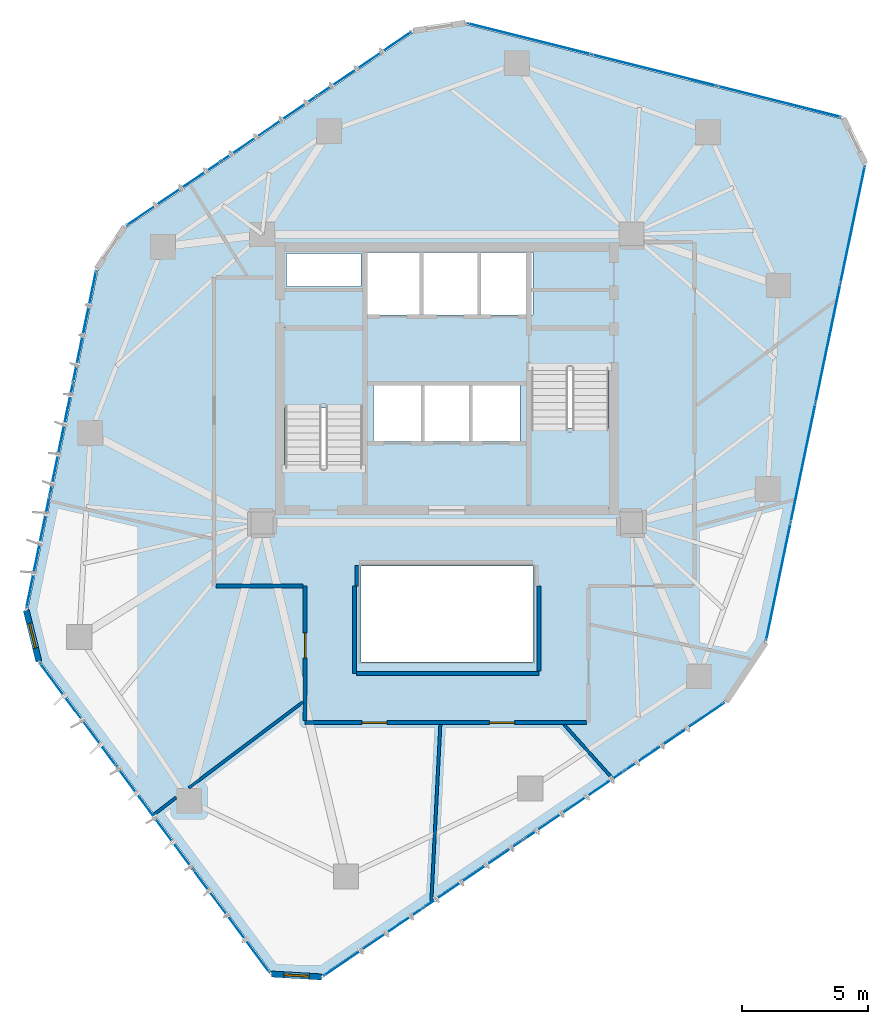
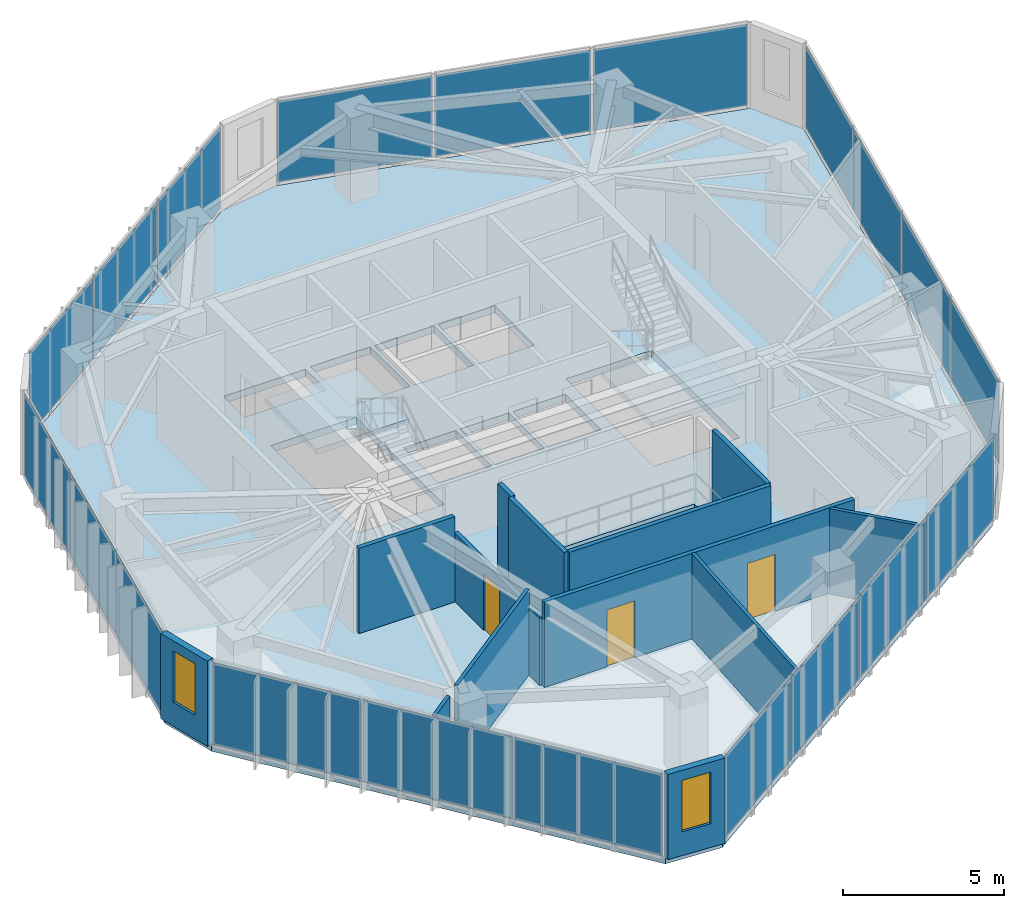
# One storey, part 15 of 20: 20 plates, 13 walls, 3 doors, 3 slabs, 2 windows, 5 openings, 8 elements without a shape of their own.
"""IFC4 building model written with IfcOpenShell, lengths in metres."""

from ifc_helpers import new_model, si_unit, direction, frame, frame_2d, origin, origin_2d, place, context, subcontext, project, spatial, polyline, rectangle, outline, extrude, source, transform, mapped, material, layer, layer_set, type_object, type_shapes, element, fill, aggregate, save


model = new_model("IFC4")

# Units and contexts
model_context = context("Model", 3, precision=1e-05, world=origin(), true_north=direction((0.0, 1.0)))
body_context = subcontext(model_context, "Body", "Model", "MODEL_VIEW")
ifc_project = project(units=[si_unit("LENGTHUNIT", "METRE"), si_unit("AREAUNIT", "SQUARE_METRE"), si_unit("VOLUMEUNIT", "CUBIC_METRE"), si_unit("PLANEANGLEUNIT", "RADIAN"), si_unit("MASSUNIT", "GRAM", prefix="KILO")], contexts=[model_context])

# Site, building, storey
site_placement = place(None, origin())
site = spatial("IfcSite", under=ifc_project, at=site_placement, CompositionType="ELEMENT")
building_placement = place(site_placement, origin())
building = spatial("IfcBuilding", under=site, at=building_placement, Name="Talar Marvaseh", CompositionType="ELEMENT")
storey_placement = place(building_placement, frame((0.0, 0.0, 191.5)))
storey = spatial("IfcBuildingStorey", under=building, at=storey_placement, Name="L50", CompositionType="ELEMENT", Elevation=191.5)

# Stair, slab
ifc_material_1 = material(Name="Concrete C40/50", Category="concrete")
stair_type = type_object("IfcStairType", Name="Reinforced Concrete High-Rise Exit Stair Type C", PredefinedType="HALF_TURN_STAIR", material=ifc_material_1)
stair_1_placement = place(storey_placement, origin())
stair_1 = element("IfcStair", 1, at=stair_1_placement, inside=storey, type_object=stair_type, Name="L50 Tower West Core Exit Stair", PredefinedType="HALF_TURN_STAIR")
ifc_layer_1 = layer(ifc_material_1, 0.199951171875)
ifc_layer_set_1 = layer_set([ifc_layer_1], Name="Concrete C40/50")
slab_type_1 = type_object("IfcSlabType", Name="Reinforced Concrete Stair Half-Landing Slab 200", PredefinedType="LANDING", material=ifc_layer_set_1)
slab_1_placement = place(storey_placement, frame((0.0, 0.0, 1.550048828125)))
slab_1 = element("IfcSlab", 2, at=slab_1_placement, type_object=slab_type_1, Name="ST-1 landing 1", PredefinedType="LANDING", context=body_context, shape_type="SweptSolid", body=[
    extrude(outline(polyline([(22.780029296875, 30.050048828125), (22.780029296875, 33.219970703125), (19.47998046875, 33.219970703125), (19.47998046875, 30.050048828125), (22.780029296875, 30.050048828125)])), origin(), (0.0, 0.0, 1.0), 0.199951171875),
])
aggregate(stair_1, [slab_1])

stair_2_placement = place(storey_placement, origin())
stair_2 = element("IfcStair", 3, at=stair_2_placement, inside=storey, type_object=stair_type, Name="L50 Tower East Core Exit Stair", PredefinedType="HALF_TURN_STAIR")
slab_2_placement = place(storey_placement, frame((0.0, 0.0, 1.550048828125)))
slab_2 = element("IfcSlab", 4, at=slab_2_placement, type_object=slab_type_1, Name="ST-2 landing 1", PredefinedType="LANDING", context=body_context, shape_type="SweptSolid", body=[
    extrude(outline(polyline([(29.219970703125, 29.25), (29.219970703125, 26.080078125), (32.52001953125, 26.080078125), (32.52001953125, 29.25), (29.219970703125, 29.25)])), origin(), (0.0, 0.0, 1.0), 0.199951171875),
])
aggregate(stair_2, [slab_2])

# Slab
ifc_layer_2 = layer(ifc_material_1, 0.27001953125)
ifc_layer_set_2 = layer_set([ifc_layer_2], Name="Concrete C40/50")
slab_type_2 = type_object("IfcSlabType", Name="Structural Suspended Floor Slab 270", PredefinedType="FLOOR", material=ifc_layer_set_2)
slab_3_placement = place(storey_placement, frame((0.0, 0.0, -0.27001953125)))
element("IfcSlab", 5, at=slab_3_placement, inside=storey, type_object=slab_type_2, Name="L50 Tower Floor Slab", PredefinedType="FLOOR", context=body_context, shape_type="SweptSolid", body=[
    extrude(outline(polyline([(21.05029296875, 7.6044921875), (19.07568359375, 7.71923828125), (9.93115234375, 20.0341796875), (9.43017578125, 22.06201171875), (12.210693359375, 35.50927734375), (13.323486328125, 37.1748046875), (24.68310546875, 44.8896484375), (26.748046875, 45.20263671875), (41.625244140625, 41.466796875), (42.48681640625, 39.686767578125), (38.555908203125, 20.80322265625), (36.991943359375, 18.46240234375), (21.05029296875, 7.6044921875)]), holes=[polyline([(22.659912109375, 27.64990234375), (22.659912109375, 33.10009765625), (19.60009765625, 33.10009765625), (19.60009765625, 27.64990234375), (22.659912109375, 27.64990234375)]), polyline([(29.340087890625, 31.64990234375), (29.340087890625, 26.199951171875), (32.39990234375, 26.199951171875), (32.39990234375, 31.64990234375), (29.340087890625, 31.64990234375)]), polyline([(22.800048828125, 33.719970703125), (24.93994140625, 33.719970703125), (24.93994140625, 36.179931640625), (22.800048828125, 36.179931640625), (22.800048828125, 33.719970703125)]), polyline([(25.080078125, 33.719970703125), (27.219970703125, 33.719970703125), (27.219970703125, 36.179931640625), (25.080078125, 36.179931640625), (25.080078125, 33.719970703125)]), polyline([(27.360107421875, 33.719970703125), (29.39990234375, 33.719970703125), (29.39990234375, 36.179931640625), (27.360107421875, 36.179931640625), (27.360107421875, 33.719970703125)]), polyline([(23.10009765625, 28.719970703125), (24.97998046875, 28.719970703125), (24.97998046875, 30.93994140625), (23.10009765625, 30.93994140625), (23.10009765625, 28.719970703125)]), polyline([(25.1201171875, 28.719970703125), (26.8798828125, 28.719970703125), (26.8798828125, 30.93994140625), (25.1201171875, 30.93994140625), (25.1201171875, 28.719970703125)]), polyline([(27.02001953125, 28.719970703125), (28.89990234375, 28.719970703125), (28.89990234375, 30.93994140625), (27.02001953125, 30.93994140625), (27.02001953125, 28.719970703125)]), polyline([(19.659912109375, 34.840087890625), (22.60009765625, 34.840087890625), (22.60009765625, 36.139892578125), (19.659912109375, 36.139892578125), (19.659912109375, 34.840087890625)]), polyline([(22.60009765625, 20.0), (29.39990234375, 20.0), (29.39990234375, 23.800048828125), (22.60009765625, 23.800048828125), (22.60009765625, 20.0)])]), origin(), (0.0, 0.0, 1.0), 0.27001953125),
])

# Curtain wall, plates
ifc_material_2 = material(Name="Architectural Aluminium", Category="aluminium")
ifc_layer_3 = layer(ifc_material_2, 0.18994140625)
ifc_layer_set_3 = layer_set([ifc_layer_3], Name="Architectural Aluminium")
curtain_wall_type = type_object("IfcCurtainWallType", Name="Unitised Solar Atelier Curtain Wall Z3", PredefinedType="NOTDEFINED", material=ifc_layer_set_3)
curtain_wall_1_placement = place(storey_placement, origin())
curtain_wall_1 = element("IfcCurtainWall", 6, at=curtain_wall_1_placement, inside=storey, type_object=curtain_wall_type, Name="L50 Unitised Solar Atelier Curtain Wall Z3", PredefinedType="NOTDEFINED")
ifc_material_3 = material(Name="Laminated Low-E Solar Glass", Category="glass")
ifc_layer_4 = layer(ifc_material_3, 0.028076171875)
ifc_layer_set_4 = layer_set([ifc_layer_4], Name="Laminated Low-E Solar Glass")
plate_type = type_object("IfcPlateType", Name="Double-Glazed Low-E Vision Curtain Panel 28", PredefinedType="CURTAIN_PANEL", material=ifc_layer_set_4)
shared_shape_1 = source(origin(), body_context, "Body", "SweptSolid", [
    extrude(rectangle(XDim=5.00048828125, YDim=0.028076171875, at=origin_2d()), origin(), (0.0, 0.0, 1.0), 3.080078125),
])
plate_1_placement = place(storey_placement, frame((17.4921875, 9.7509765625, 0.074951171875), z_axis=(0.0, 0.0, 1.0), x_axis=(-0.596173353454, 0.802855735878, 0.0)))
plate_1 = element("IfcPlate", 7, at=plate_1_placement, type_object=plate_type, Name="CW-Z3 panel 1.1", PredefinedType="CURTAIN_PANEL", context=body_context, shape_type="MappedRepresentation", body=[
    mapped(shared_shape_1, transform((0.0, 0.0, 0.0), x_axis=(1.0, 0.0, 0.0), y_axis=(0.0, 1.0, 0.0), z_axis=(0.0, 0.0, 1.0), scale=1.0)),
])
plate_2_placement = place(storey_placement, frame((11.418212890625, 17.930908203125, 0.074951171875), z_axis=(0.0, 0.0, 1.0), x_axis=(-0.596173353454, 0.802855735878, 0.0)))
plate_2 = element("IfcPlate", 8, at=plate_2_placement, type_object=plate_type, Name="CW-Z3 panel 3.1", PredefinedType="CURTAIN_PANEL", context=body_context, shape_type="MappedRepresentation", body=[
    mapped(shared_shape_1, transform((0.0, 0.0, 0.0), x_axis=(1.0, 0.0, 0.0), y_axis=(0.0, 1.0, 0.0), z_axis=(0.0, 0.0, 1.0), scale=1.0)),
])

curtain_wall_2_placement = place(storey_placement, origin())
curtain_wall_2 = element("IfcCurtainWall", 9, at=curtain_wall_2_placement, inside=storey, type_object=curtain_wall_type, Name="L50 Unitised Solar Atelier Curtain Wall Z3", PredefinedType="NOTDEFINED")
plate_3_placement = place(storey_placement, frame((29.260498046875, 44.6337890625, 0.074951171875), z_axis=(0.0, 0.0, 1.0), x_axis=(0.969888483064, -0.243549441427, 0.0)))
plate_3 = element("IfcPlate", 10, at=plate_3_placement, type_object=plate_type, Name="CW-Z3 panel 1.1", PredefinedType="CURTAIN_PANEL", context=body_context, shape_type="MappedRepresentation", body=[
    mapped(shared_shape_1, transform((0.0, 0.0, 0.0), x_axis=(1.0, 0.0, 0.0), y_axis=(0.0, 1.0, 0.0), z_axis=(0.0, 0.0, 1.0), scale=1.0)),
])
plate_4_placement = place(storey_placement, frame((39.14208984375, 42.15234375, 0.074951171875), z_axis=(0.0, 0.0, 1.0), x_axis=(0.969888483064, -0.243549441427, 0.0)))
plate_4 = element("IfcPlate", 11, at=plate_4_placement, type_object=plate_type, Name="CW-Z3 panel 3.1", PredefinedType="CURTAIN_PANEL", context=body_context, shape_type="MappedRepresentation", body=[
    mapped(shared_shape_1, transform((0.0, 0.0, 0.0), x_axis=(1.0, 0.0, 0.0), y_axis=(0.0, 1.0, 0.0), z_axis=(0.0, 0.0, 1.0), scale=1.0)),
])

# Plate
shared_shape_2 = source(origin(), body_context, "Body", "SweptSolid", [
    extrude(rectangle(XDim=5.0380859375, YDim=0.028076171875, at=origin_2d()), origin(), (0.0, 0.0, 1.0), 3.080078125),
])
plate_5_placement = place(storey_placement, frame((14.455322265625, 13.841064453125, 0.074951171875), z_axis=(0.0, 0.0, 1.0), x_axis=(-0.596173353454, 0.802855735878, 0.0)))
plate_5 = element("IfcPlate", 12, at=plate_5_placement, type_object=plate_type, Name="CW-Z3 panel 2.1", PredefinedType="CURTAIN_PANEL", context=body_context, shape_type="MappedRepresentation", body=[
    mapped(shared_shape_2, transform((0.0, 0.0, 0.0), x_axis=(1.0, 0.0, 0.0), y_axis=(0.0, 1.0, 0.0), z_axis=(0.0, 0.0, 1.0), scale=1.0)),
])

aggregate(curtain_wall_1, [plate_1, plate_5, plate_2])

plate_6_placement = place(storey_placement, frame((34.201171875, 43.39306640625, 0.074951171875), z_axis=(0.0, 0.0, 1.0), x_axis=(0.969888483064, -0.243549441427, 0.0)))
plate_6 = element("IfcPlate", 13, at=plate_6_placement, type_object=plate_type, Name="CW-Z3 panel 2.1", PredefinedType="CURTAIN_PANEL", context=body_context, shape_type="MappedRepresentation", body=[
    mapped(shared_shape_2, transform((0.0, 0.0, 0.0), x_axis=(1.0, 0.0, 0.0), y_axis=(0.0, 1.0, 0.0), z_axis=(0.0, 0.0, 1.0), scale=1.0)),
])

aggregate(curtain_wall_2, [plate_3, plate_6, plate_4])

# Curtain wall, plates
curtain_wall_3_placement = place(storey_placement, origin())
curtain_wall_3 = element("IfcCurtainWall", 14, at=curtain_wall_3_placement, inside=storey, type_object=curtain_wall_type, Name="L50 Unitised Solar Atelier Curtain Wall Z3", PredefinedType="NOTDEFINED")
shared_shape_3 = source(origin(), body_context, "Body", "SweptSolid", [
    extrude(rectangle(XDim=4.46484375, YDim=0.028076171875, at=origin_2d()), origin(), (0.0, 0.0, 1.0), 3.080078125),
])
plate_7_placement = place(storey_placement, frame((9.838623046875, 24.33349609375, 0.074951171875), z_axis=(0.0, 0.0, 1.0), x_axis=(0.202479899967, 0.979286418832, 0.0)))
plate_7 = element("IfcPlate", 15, at=plate_7_placement, type_object=plate_type, Name="CW-Z3 panel 1.1", PredefinedType="CURTAIN_PANEL", context=body_context, shape_type="MappedRepresentation", body=[
    mapped(shared_shape_3, transform((0.0, 0.0, 0.0), x_axis=(1.0, 0.0, 0.0), y_axis=(0.0, 1.0, 0.0), z_axis=(0.0, 0.0, 1.0), scale=1.0)),
])
plate_8_placement = place(storey_placement, frame((11.6845703125, 33.26171875, 0.074951171875), z_axis=(0.0, 0.0, 1.0), x_axis=(0.202479899967, 0.979286418832, 0.0)))
plate_8 = element("IfcPlate", 16, at=plate_8_placement, type_object=plate_type, Name="CW-Z3 panel 3.1", PredefinedType="CURTAIN_PANEL", context=body_context, shape_type="MappedRepresentation", body=[
    mapped(shared_shape_3, transform((0.0, 0.0, 0.0), x_axis=(1.0, 0.0, 0.0), y_axis=(0.0, 1.0, 0.0), z_axis=(0.0, 0.0, 1.0), scale=1.0)),
])

curtain_wall_4_placement = place(storey_placement, origin())
curtain_wall_4 = element("IfcCurtainWall", 17, at=curtain_wall_4_placement, inside=storey, type_object=curtain_wall_type, Name="L50 Unitised Solar Atelier Curtain Wall Z3", PredefinedType="NOTDEFINED")
plate_9_placement = place(storey_placement, frame((15.198486328125, 38.520751953125, 0.074951171875), z_axis=(0.0, 0.0, 1.0), x_axis=(0.827254688952, 0.561827090488, 0.0)))
plate_9 = element("IfcPlate", 18, at=plate_9_placement, type_object=plate_type, Name="CW-Z3 panel 1.1", PredefinedType="CURTAIN_PANEL", context=body_context, shape_type="MappedRepresentation", body=[
    mapped(shared_shape_3, transform((0.0, 0.0, 0.0), x_axis=(1.0, 0.0, 0.0), y_axis=(0.0, 1.0, 0.0), z_axis=(0.0, 0.0, 1.0), scale=1.0)),
])
plate_10_placement = place(storey_placement, frame((22.74072265625, 43.642822265625, 0.074951171875), z_axis=(0.0, 0.0, 1.0), x_axis=(0.827254688952, 0.561827090488, 0.0)))
plate_10 = element("IfcPlate", 19, at=plate_10_placement, type_object=plate_type, Name="CW-Z3 panel 3.1", PredefinedType="CURTAIN_PANEL", context=body_context, shape_type="MappedRepresentation", body=[
    mapped(shared_shape_3, transform((0.0, 0.0, 0.0), x_axis=(1.0, 0.0, 0.0), y_axis=(0.0, 1.0, 0.0), z_axis=(0.0, 0.0, 1.0), scale=1.0)),
])

# Plate
shared_shape_4 = source(origin(), body_context, "Body", "SweptSolid", [
    extrude(rectangle(XDim=4.502197265625, YDim=0.028076171875, at=origin_2d()), origin(), (0.0, 0.0, 1.0), 3.080078125),
])
plate_11_placement = place(storey_placement, frame((10.76171875, 28.797607421875, 0.074951171875), z_axis=(0.0, 0.0, 1.0), x_axis=(0.202479899967, 0.979286418832, 0.0)))
plate_11 = element("IfcPlate", 20, at=plate_11_placement, type_object=plate_type, Name="CW-Z3 panel 2.1", PredefinedType="CURTAIN_PANEL", context=body_context, shape_type="MappedRepresentation", body=[
    mapped(shared_shape_4, transform((0.0, 0.0, 0.0), x_axis=(1.0, 0.0, 0.0), y_axis=(0.0, 1.0, 0.0), z_axis=(0.0, 0.0, 1.0), scale=1.0)),
])

aggregate(curtain_wall_3, [plate_7, plate_11, plate_8])

plate_12_placement = place(storey_placement, frame((18.9697265625, 41.081787109375, 0.074951171875), z_axis=(0.0, 0.0, 1.0), x_axis=(0.827254688952, 0.561827090488, 0.0)))
plate_12 = element("IfcPlate", 21, at=plate_12_placement, type_object=plate_type, Name="CW-Z3 panel 2.1", PredefinedType="CURTAIN_PANEL", context=body_context, shape_type="MappedRepresentation", body=[
    mapped(shared_shape_4, transform((0.0, 0.0, 0.0), x_axis=(1.0, 0.0, 0.0), y_axis=(0.0, 1.0, 0.0), z_axis=(0.0, 0.0, 1.0), scale=1.0)),
])

aggregate(curtain_wall_4, [plate_9, plate_12, plate_10])

# Curtain wall, plates
curtain_wall_5_placement = place(storey_placement, origin())
curtain_wall_5 = element("IfcCurtainWall", 22, at=curtain_wall_5_placement, inside=storey, type_object=curtain_wall_type, Name="L50 Unitised Solar Atelier Curtain Wall Z3", PredefinedType="NOTDEFINED")
shared_shape_5 = source(origin(), body_context, "Body", "SweptSolid", [
    extrude(rectangle(XDim=4.70947265625, YDim=0.028076171875, at=origin_2d()), origin(), (0.0, 0.0, 1.0), 3.080078125),
])
plate_13_placement = place(storey_placement, frame((42.05029296875, 37.295654296875, 0.074951171875), z_axis=(0.0, 0.0, 1.0), x_axis=(-0.203793177492, -0.979013963541, 0.0)))
plate_13 = element("IfcPlate", 23, at=plate_13_placement, type_object=plate_type, Name="CW-Z3 panel 1.1", PredefinedType="CURTAIN_PANEL", context=body_context, shape_type="MappedRepresentation", body=[
    mapped(shared_shape_5, transform((0.0, 0.0, 0.0), x_axis=(1.0, 0.0, 0.0), y_axis=(0.0, 1.0, 0.0), z_axis=(0.0, 0.0, 1.0), scale=1.0)),
])
plate_14_placement = place(storey_placement, frame((39.10986328125, 23.169921875, 0.074951171875), z_axis=(0.0, 0.0, 1.0), x_axis=(-0.203793177492, -0.979013963541, 0.0)))
plate_14 = element("IfcPlate", 24, at=plate_14_placement, type_object=plate_type, Name="CW-Z3 panel 4.1", PredefinedType="CURTAIN_PANEL", context=body_context, shape_type="MappedRepresentation", body=[
    mapped(shared_shape_5, transform((0.0, 0.0, 0.0), x_axis=(1.0, 0.0, 0.0), y_axis=(0.0, 1.0, 0.0), z_axis=(0.0, 0.0, 1.0), scale=1.0)),
])

curtain_wall_6_placement = place(storey_placement, origin())
curtain_wall_6 = element("IfcCurtainWall", 25, at=curtain_wall_6_placement, inside=storey, type_object=curtain_wall_type, Name="L50 Unitised Solar Atelier Curtain Wall Z3", PredefinedType="NOTDEFINED")
plate_15_placement = place(storey_placement, frame((35.017578125, 17.045166015625, 0.074951171875), z_axis=(0.0, 0.0, 1.0), x_axis=(-0.826503325657, -0.562931836617, 0.0)))
plate_15 = element("IfcPlate", 26, at=plate_15_placement, type_object=plate_type, Name="CW-Z3 panel 1.1", PredefinedType="CURTAIN_PANEL", context=body_context, shape_type="MappedRepresentation", body=[
    mapped(shared_shape_5, transform((0.0, 0.0, 0.0), x_axis=(1.0, 0.0, 0.0), y_axis=(0.0, 1.0, 0.0), z_axis=(0.0, 0.0, 1.0), scale=1.0)),
])
plate_16_placement = place(storey_placement, frame((23.09228515625, 8.9228515625, 0.074951171875), z_axis=(0.0, 0.0, 1.0), x_axis=(-0.826503325657, -0.562931836617, 0.0)))
plate_16 = element("IfcPlate", 27, at=plate_16_placement, type_object=plate_type, Name="CW-Z3 panel 4.1", PredefinedType="CURTAIN_PANEL", context=body_context, shape_type="MappedRepresentation", body=[
    mapped(shared_shape_5, transform((0.0, 0.0, 0.0), x_axis=(1.0, 0.0, 0.0), y_axis=(0.0, 1.0, 0.0), z_axis=(0.0, 0.0, 1.0), scale=1.0)),
])

# Plate
shared_shape_6 = source(origin(), body_context, "Body", "SweptSolid", [
    extrude(rectangle(XDim=4.7470703125, YDim=0.028076171875, at=origin_2d()), origin(), (0.0, 0.0, 1.0), 3.080078125),
])
type_shapes(plate_type, [shared_shape_1, shared_shape_2, shared_shape_3, shared_shape_4, shared_shape_5, shared_shape_6])
plate_17_placement = place(storey_placement, frame((41.071533203125, 32.59326171875, 0.074951171875), z_axis=(0.0, 0.0, 1.0), x_axis=(-0.203793177492, -0.979013963541, 0.0)))
plate_17 = element("IfcPlate", 28, at=plate_17_placement, type_object=plate_type, Name="CW-Z3 panel 2.1", PredefinedType="CURTAIN_PANEL", context=body_context, shape_type="MappedRepresentation", body=[
    mapped(shared_shape_6, transform((0.0, 0.0, 0.0), x_axis=(1.0, 0.0, 0.0), y_axis=(0.0, 1.0, 0.0), z_axis=(0.0, 0.0, 1.0), scale=1.0)),
])

plate_18_placement = place(storey_placement, frame((40.0888671875, 27.872314453125, 0.074951171875), z_axis=(0.0, 0.0, 1.0), x_axis=(-0.203793177492, -0.979013963541, 0.0)))
plate_18 = element("IfcPlate", 29, at=plate_18_placement, type_object=plate_type, Name="CW-Z3 panel 3.1", PredefinedType="CURTAIN_PANEL", context=body_context, shape_type="MappedRepresentation", body=[
    mapped(shared_shape_6, transform((0.0, 0.0, 0.0), x_axis=(1.0, 0.0, 0.0), y_axis=(0.0, 1.0, 0.0), z_axis=(0.0, 0.0, 1.0), scale=1.0)),
])

aggregate(curtain_wall_5, [plate_13, plate_17, plate_18, plate_14])

plate_19_placement = place(storey_placement, frame((31.047607421875, 14.34130859375, 0.074951171875), z_axis=(0.0, 0.0, 1.0), x_axis=(-0.826503325657, -0.562931836617, 0.0)))
plate_19 = element("IfcPlate", 30, at=plate_19_placement, type_object=plate_type, Name="CW-Z3 panel 2.1", PredefinedType="CURTAIN_PANEL", context=body_context, shape_type="MappedRepresentation", body=[
    mapped(shared_shape_6, transform((0.0, 0.0, 0.0), x_axis=(1.0, 0.0, 0.0), y_axis=(0.0, 1.0, 0.0), z_axis=(0.0, 0.0, 1.0), scale=1.0)),
])

plate_20_placement = place(storey_placement, frame((27.062255859375, 11.626708984375, 0.074951171875), z_axis=(0.0, 0.0, 1.0), x_axis=(-0.826503325657, -0.562931836617, 0.0)))
plate_20 = element("IfcPlate", 31, at=plate_20_placement, type_object=plate_type, Name="CW-Z3 panel 3.1", PredefinedType="CURTAIN_PANEL", context=body_context, shape_type="MappedRepresentation", body=[
    mapped(shared_shape_6, transform((0.0, 0.0, 0.0), x_axis=(1.0, 0.0, 0.0), y_axis=(0.0, 1.0, 0.0), z_axis=(0.0, 0.0, 1.0), scale=1.0)),
])

aggregate(curtain_wall_6, [plate_15, plate_19, plate_20, plate_16])

# Wall, opening, window
ifc_material_4 = material(Name="Precast concrete C45/55", Category="concrete")
ifc_layer_5 = layer(ifc_material_4, 0.239990234375)
ifc_layer_set_5 = layer_set([ifc_layer_5], Name="Precast concrete C45/55")
wall_type_1 = type_object("IfcWallType", Name="Chamfered Hexagonal Corner Pier Wall Z3 240", PredefinedType="SOLIDWALL", material=ifc_layer_set_5)
wall_1_placement = place(storey_placement, frame((21.046630859375, 7.544677734375, 0.0), z_axis=(0.0, 0.0, 1.0), x_axis=(-0.998315417259, 0.058020062583, 0.0)))
wall_1 = element("IfcWall", 32, at=wall_1_placement, inside=storey, type_object=wall_type_1, Name="L50 Chamfered Corner Limestone Pier 1", PredefinedType="SOLIDWALL", context=body_context, shape_type="SweptSolid", body=[
    extrude(rectangle(XDim=1.977783203125, YDim=0.239990234375, at=frame_2d((0.98876953125, 0.0))), origin(), (0.0, 0.0, 1.0), 3.22998046875),
])
opening_1_placement = place(wall_1_placement, frame((0.489013671875, 0.0, 0.89990234375)))
opening_1 = element("IfcOpeningElement", 33, at=opening_1_placement, cuts=wall_1, Name="Opening WN-CHM10", PredefinedType="OPENING", context=body_context, shape_type="SweptSolid", body=[
    extrude(rectangle(XDim=1.0, YDim=1.949951171875, at=frame_2d((0.5, 0.97509765625))), frame((0.0, 0.1298828125, 0.0), z_axis=(0.0, -1.0, 0.0), x_axis=(1.0, 0.0, 0.0)), (0.0, 0.0, 1.0), 0.260009765625),
])
window_type = type_object("IfcWindowType", Name="Zone 3 Chamfered Corner Slot Window 1000x1950", PartitioningType="SINGLE_PANEL", PredefinedType="WINDOW", material=ifc_material_3)
shared_shape_7 = source(origin(), body_context, "Body", "SweptSolid", [
    extrude(rectangle(XDim=1.0, YDim=1.949951171875, at=frame_2d((0.5, 0.97509765625))), frame((0.0, 0.030029296875, 0.0), z_axis=(0.0, -1.0, 0.0), x_axis=(1.0, 0.0, 0.0)), (0.0, 0.0, 1.0), 0.06005859375),
])
type_shapes(window_type, [shared_shape_7])
window_1_placement = place(opening_1_placement, origin())
window_1 = element("IfcWindow", 34, at=window_1_placement, inside=storey, type_object=window_type, Name="L50 Chamfered Corner Slot Window", OverallHeight=1.949951171875, OverallWidth=1.0, PartitioningType="SINGLE_PANEL", PredefinedType="WINDOW", context=body_context, shape_type="MappedRepresentation", body=[
    mapped(shared_shape_7, transform((0.0, 0.0, 0.0), x_axis=(1.0, 0.0, 0.0), y_axis=(0.0, 1.0, 0.0), z_axis=(0.0, 0.0, 1.0), scale=1.0)),
])
fill(opening_1, window_1)

wall_2_placement = place(storey_placement, frame((9.872802734375, 20.02001953125, 0.0), z_axis=(0.0, 0.0, 1.0), x_axis=(-0.239756597978, 0.970833030817, 0.0)))
wall_2 = element("IfcWall", 35, at=wall_2_placement, inside=storey, type_object=wall_type_1, Name="L50 Chamfered Corner Limestone Pier 2", PredefinedType="SOLIDWALL", context=body_context, shape_type="SweptSolid", body=[
    extrude(rectangle(XDim=2.088623046875, YDim=0.239990234375, at=frame_2d((1.04443359375, 0.0))), origin(), (0.0, 0.0, 1.0), 3.22998046875),
])
opening_2_placement = place(wall_2_placement, frame((0.5439453125, 0.0, 0.89990234375)))
opening_2 = element("IfcOpeningElement", 36, at=opening_2_placement, cuts=wall_2, Name="Opening WN-CHM10", PredefinedType="OPENING", context=body_context, shape_type="SweptSolid", body=[
    extrude(rectangle(XDim=1.0, YDim=1.949951171875, at=frame_2d((0.5, 0.97509765625))), frame((0.0, 0.1298828125, 0.0), z_axis=(0.0, -1.0, 0.0), x_axis=(1.0, 0.0, 0.0)), (0.0, 0.0, 1.0), 0.260009765625),
])
window_2_placement = place(opening_2_placement, origin())
window_2 = element("IfcWindow", 37, at=window_2_placement, inside=storey, type_object=window_type, Name="L50 Chamfered Corner Slot Window", OverallHeight=1.949951171875, OverallWidth=1.0, PartitioningType="SINGLE_PANEL", PredefinedType="WINDOW", context=body_context, shape_type="MappedRepresentation", body=[
    mapped(shared_shape_7, transform((0.0, 0.0, 0.0), x_axis=(1.0, 0.0, 0.0), y_axis=(0.0, 1.0, 0.0), z_axis=(0.0, 0.0, 1.0), scale=1.0)),
])
fill(opening_2, window_2)

# Wall, openings, doors
ifc_material_5 = material(Name="Gypsum Board Partition Assembly")
ifc_layer_6 = layer(ifc_material_5, 0.155029296875)
ifc_layer_set_6 = layer_set([ifc_layer_6], Name="Gypsum Board Partition Assembly")
wall_type_2 = type_object("IfcWallType", Name="Corridor Fire-Rated Acoustic Partition 155", PredefinedType="PARTITIONING", material=ifc_layer_set_6)
wall_3_placement = place(storey_placement, frame((31.5166015625, 17.60009765625, 0.0), z_axis=(0.0, 0.0, 1.0), x_axis=(-1.0, 0.0, 0.0)))
wall_3 = element("IfcWall", 38, at=wall_3_placement, inside=storey, type_object=wall_type_2, Name="L50 Interior Partition Wall", PredefinedType="PARTITIONING", context=body_context, shape_type="SweptSolid", body=[
    extrude(rectangle(XDim=11.11669921875, YDim=0.155029296875, at=frame_2d((5.558349609375, 0.0))), origin(), (0.0, 0.0, 1.0), 3.22998046875),
])
opening_3_placement = place(wall_3_placement, frame((7.873779296875, 0.0, 0.0)))
opening_3 = element("IfcOpeningElement", 39, at=opening_3_placement, cuts=wall_3, Name="Opening DR-RM100", PredefinedType="OPENING", context=body_context, shape_type="SweptSolid", body=[
    extrude(rectangle(XDim=1.0, YDim=2.14990234375, at=frame_2d((0.5, 1.074951171875))), frame((0.0, 0.08740234375, 0.0), z_axis=(0.0, -1.0, 0.0), x_axis=(1.0, 0.0, 0.0)), (0.0, 0.0, 1.0), 0.175048828125),
])
opening_4_placement = place(wall_3_placement, frame((2.8330078125, 0.0, 0.0)))
opening_4 = element("IfcOpeningElement", 40, at=opening_4_placement, cuts=wall_3, Name="Opening DR-RM100", PredefinedType="OPENING", context=body_context, shape_type="SweptSolid", body=[
    extrude(rectangle(XDim=1.0, YDim=2.14990234375, at=frame_2d((0.5, 1.074951171875))), frame((0.0, 0.08740234375, 0.0), z_axis=(0.0, -1.0, 0.0), x_axis=(1.0, 0.0, 0.0)), (0.0, 0.0, 1.0), 0.175048828125),
])
ifc_material_6 = material(Name="Acoustic Engineered Oak Timber", Category="wood")
door_type = type_object("IfcDoorType", Name="Corridor Fire-Rated Gallery Door 1000x2150", OperationType="NOTDEFINED", PredefinedType="DOOR", material=ifc_material_6)
shared_shape_8 = source(origin(), body_context, "Body", "SweptSolid", [
    extrude(rectangle(XDim=1.0, YDim=2.14990234375, at=frame_2d((0.5, 1.074951171875))), frame((0.0, 0.02490234375, 0.0), z_axis=(0.0, -1.0, 0.0), x_axis=(1.0, 0.0, 0.0)), (0.0, 0.0, 1.0), 0.050048828125),
])
type_shapes(door_type, [shared_shape_8])
door_1_placement = place(opening_3_placement, origin())
door_1 = element("IfcDoor", 41, at=door_1_placement, inside=storey, type_object=door_type, Name="L50 Curatorial Staff Control Room Door", OperationType="SINGLE_SWING_RIGHT", OverallHeight=2.14990234375, OverallWidth=1.0, PredefinedType="DOOR", context=body_context, shape_type="MappedRepresentation", body=[
    mapped(shared_shape_8, transform((0.0, 0.0, 0.0), x_axis=(1.0, 0.0, 0.0), y_axis=(0.0, 1.0, 0.0), z_axis=(0.0, 0.0, 1.0), scale=1.0)),
])
fill(opening_3, door_1)
door_2_placement = place(opening_4_placement, origin())
door_2 = element("IfcDoor", 42, at=door_2_placement, inside=storey, type_object=door_type, Name="L50 Colloquium Boardroom Door", OperationType="SINGLE_SWING_LEFT", OverallHeight=2.14990234375, OverallWidth=1.0, PredefinedType="DOOR", context=body_context, shape_type="MappedRepresentation", body=[
    mapped(shared_shape_8, transform((0.0, 0.0, 0.0), x_axis=(1.0, 0.0, 0.0), y_axis=(0.0, 1.0, 0.0), z_axis=(0.0, 0.0, 1.0), scale=1.0)),
])
fill(opening_4, door_2)

# Wall, opening, door
wall_4_placement = place(storey_placement, frame((20.39990234375, 17.68359375, 0.0), z_axis=(0.0, 0.0, 1.0), x_axis=(0.0, 1.0, 0.0)))
wall_4 = element("IfcWall", 43, at=wall_4_placement, inside=storey, type_object=wall_type_2, Name="L50 Interior Partition Wall", PredefinedType="PARTITIONING", context=body_context, shape_type="SweptSolid", body=[
    extrude(rectangle(XDim=5.31640625, YDim=0.155029296875, at=frame_2d((2.658203125, 0.0))), origin(), (0.0, 0.0, 1.0), 2.589111328125),
])
opening_5_placement = place(wall_4_placement, frame((2.468994140625, 0.0, 0.0)))
opening_5 = element("IfcOpeningElement", 44, at=opening_5_placement, cuts=wall_4, Name="Opening DR-RM100", PredefinedType="OPENING", context=body_context, shape_type="SweptSolid", body=[
    extrude(rectangle(XDim=1.0, YDim=2.14990234375, at=frame_2d((0.5, 1.074951171875))), frame((0.0, 0.08740234375, 0.0), z_axis=(0.0, -1.0, 0.0), x_axis=(1.0, 0.0, 0.0)), (0.0, 0.0, 1.0), 0.175048828125),
])
door_3_placement = place(opening_5_placement, origin())
door_3 = element("IfcDoor", 45, at=door_3_placement, inside=storey, type_object=door_type, Name="L50 Seminar Room Door", OperationType="SINGLE_SWING_LEFT", OverallHeight=2.14990234375, OverallWidth=1.0, PredefinedType="DOOR", context=body_context, shape_type="MappedRepresentation", body=[
    mapped(shared_shape_8, transform((0.0, 0.0, 0.0), x_axis=(1.0, 0.0, 0.0), y_axis=(0.0, 1.0, 0.0), z_axis=(0.0, 0.0, 1.0), scale=1.0)),
])
fill(opening_5, door_3)

# Walls
wall_5_placement = place(storey_placement, frame((20.31640625, 23.0, 0.0), z_axis=(0.0, 0.0, 1.0), x_axis=(-1.0, 0.0, 0.0)))
element("IfcWall", 46, at=wall_5_placement, inside=storey, type_object=wall_type_2, Name="L50 Interior Partition Wall", PredefinedType="PARTITIONING", context=body_context, shape_type="SweptSolid", body=[
    extrude(rectangle(XDim=3.432861328125, YDim=0.155029296875, at=frame_2d((1.71630859375, 0.0))), origin(), (0.0, 0.0, 1.0), 3.22998046875),
])
wall_6_placement = place(storey_placement, frame((22.44091796875, 23.815673828125, 0.0), z_axis=(0.0, 0.0, 1.0), x_axis=(-0.001197245475, -0.999999283301, 0.0)))
element("IfcWall", 47, at=wall_6_placement, inside=storey, type_object=wall_type_2, Name="L50 Interior Partition Wall", PredefinedType="PARTITIONING", context=body_context, shape_type="SweptSolid", body=[
    extrude(rectangle(XDim=0.815673828125, YDim=0.155029296875, at=frame_2d((0.40771484375, 0.0))), origin(), (0.0, 0.0, 1.0), 3.22998046875),
])
wall_7_placement = place(storey_placement, frame((22.35009765625, 23.0, 0.0), z_axis=(0.0, 0.0, 1.0), x_axis=(0.0, -1.0, 0.0)))
element("IfcWall", 48, at=wall_7_placement, inside=storey, type_object=wall_type_2, Name="L50 Interior Partition Wall", PredefinedType="PARTITIONING", context=body_context, shape_type="SweptSolid", body=[
    extrude(rectangle(XDim=3.449951171875, YDim=0.155029296875, at=frame_2d((1.72509765625, 0.0))), origin(), (0.0, 0.0, 1.0), 3.22998046875),
])
wall_8_placement = place(storey_placement, frame((22.43359375, 19.550048828125, 0.0), z_axis=(0.0, 0.0, 1.0), x_axis=(1.0, 0.0, 0.0)))
element("IfcWall", 49, at=wall_8_placement, inside=storey, type_object=wall_type_2, Name="L50 Interior Partition Wall", PredefinedType="PARTITIONING", context=body_context, shape_type="SweptSolid", body=[
    extrude(rectangle(XDim=7.21630859375, YDim=0.155029296875, at=frame_2d((3.608154296875, 0.0))), origin(), (0.0, 0.0, 1.0), 3.22998046875),
])
wall_9_placement = place(storey_placement, frame((29.64990234375, 19.633544921875, 0.0), z_axis=(0.0, 0.0, 1.0), x_axis=(0.0, 1.0, 0.0)))
element("IfcWall", 50, at=wall_9_placement, inside=storey, type_object=wall_type_2, Name="L50 Interior Partition Wall", PredefinedType="PARTITIONING", context=body_context, shape_type="SweptSolid", body=[
    extrude(rectangle(XDim=3.366455078125, YDim=0.155029296875, at=frame_2d((1.68310546875, 0.0))), origin(), (0.0, 0.0, 1.0), 3.22998046875),
])
ifc_layer_7 = layer(ifc_material_5, 0.1201171875)
ifc_layer_set_7 = layer_set([ifc_layer_7], Name="Gypsum Board Partition Assembly")
wall_type_3 = type_object("IfcWallType", Name="Demountable Studio Room Partition 120", PredefinedType="PARTITIONING", material=ifc_layer_set_7)
wall_10_placement = place(storey_placement, frame((20.31640625, 18.4169921875, 0.0), z_axis=(0.0, 0.0, 1.0), x_axis=(-0.799174970338, -0.601098466797, 0.0)))
element("IfcWall", 51, at=wall_10_placement, inside=storey, type_object=wall_type_3, Name="L50 Interior Partition Wall", PredefinedType="PARTITIONING", context=body_context, shape_type="SweptSolid", body=[
    extrude(rectangle(XDim=5.6513671875, YDim=0.1201171875, at=frame_2d((2.82568359375, 0.0))), origin(), (0.0, 0.0, 1.0), 3.22998046875),
])
wall_11_placement = place(storey_placement, frame((15.300048828125, 14.639892578125, 0.0), z_axis=(0.0, 0.0, 1.0), x_axis=(-0.794940273694, -0.606687696644, 0.0)))
element("IfcWall", 52, at=wall_11_placement, inside=storey, type_object=wall_type_3, Name="L50 Interior Partition Wall", PredefinedType="PARTITIONING", context=body_context, shape_type="SweptSolid", body=[
    extrude(rectangle(XDim=1.129638671875, YDim=0.1201171875, at=frame_2d((0.56494140625, 0.0))), origin(), (0.0, 0.0, 1.0), 3.22998046875),
])
wall_12_placement = place(storey_placement, frame((25.74658203125, 17.53515625, 0.0), z_axis=(0.0, 0.0, 1.0), x_axis=(-0.050955545463, -0.998700922392, 0.0)))
element("IfcWall", 53, at=wall_12_placement, inside=storey, type_object=wall_type_3, Name="L50 Interior Partition Wall", PredefinedType="PARTITIONING", context=body_context, shape_type="SweptSolid", body=[
    extrude(rectangle(XDim=7.033447265625, YDim=0.1201171875, at=frame_2d((3.5166015625, 0.0))), origin(), (0.0, 0.0, 1.0), 3.22998046875),
])
wall_13_placement = place(storey_placement, frame((30.64501953125, 17.5166015625, 0.0), z_axis=(0.0, 0.0, 1.0), x_axis=(0.668344902382, -0.743851525144, 0.0)))
element("IfcWall", 54, at=wall_13_placement, inside=storey, type_object=wall_type_3, Name="L50 Interior Partition Wall", PredefinedType="PARTITIONING", context=body_context, shape_type="SweptSolid", body=[
    extrude(rectangle(XDim=2.851806640625, YDim=0.1201171875, at=frame_2d((1.42578125, 0.0))), origin(), (0.0, 0.0, 1.0), 3.22998046875),
])

save(model, "model.ifc")
